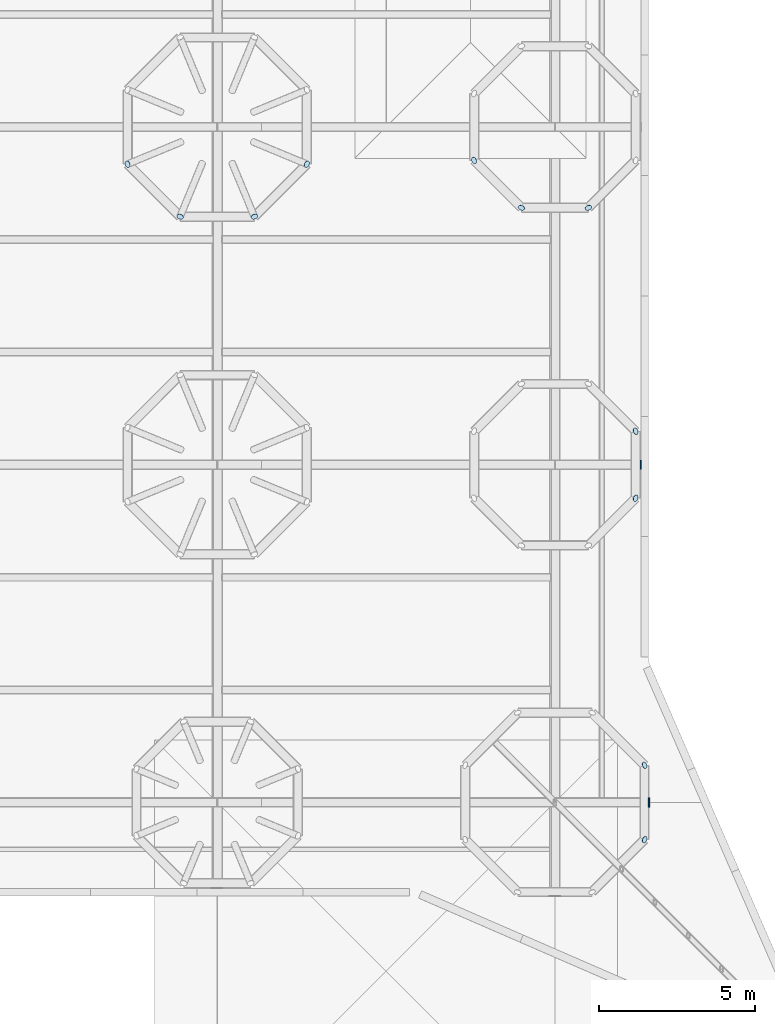
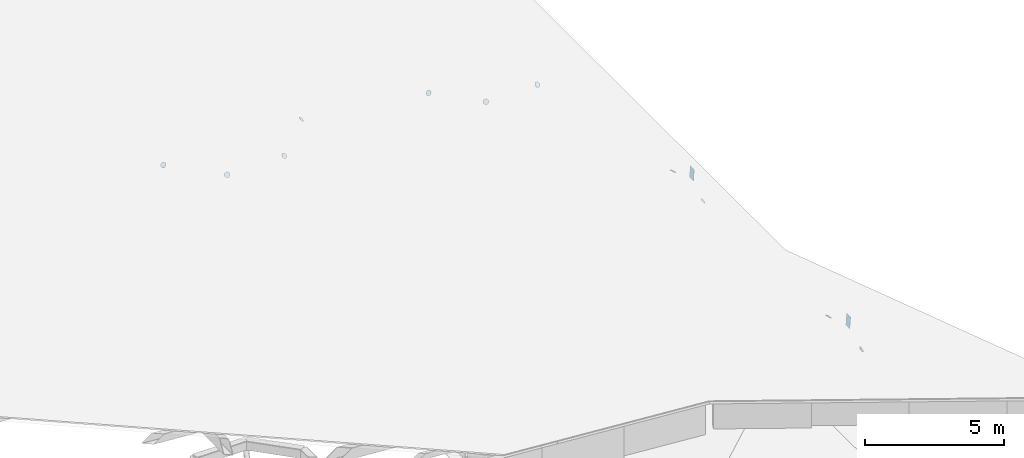
# One storey, part 63 of 95: 13 plates.
"""IFC4 building model written with IfcOpenShell, lengths in metres."""

import ifcopenshell
import ifcopenshell.guid

model = None  # the IFC model being written
_history = None  # IfcOwnerHistory: only IFC2X3 demands one
_inside = {}  # id of a spatial element -> (the spatial element, [elements in it])
_under = {}  # id of a project, library or spatial element -> (it, [spatial elements below it])
_declared = {}  # id of a project -> (the project, [libraries it declares])
_typed = {}  # id of a type object -> (the type object, [elements of that type])
_made_of = {}  # id of a material, layer set ... -> (it, [elements and type objects made of it])


def new_model(schema):
    """Start an empty IFC model of exactly this schema.

    Asked for "IFC4X3", IfcOpenShell would pick the latest addendum, in which some entities
    have other attributes; the version numbers below select the first issue.
    IFC2X3 requires an IfcOwnerHistory on every rooted entity: one is made here for all.
    """
    global model, _history
    if schema == "IFC4X3":
        model = ifcopenshell.file(schema_version=(4, 3, 0, 0))
    else:
        model = ifcopenshell.file(schema=schema)
    _inside.clear()
    _under.clear()
    _declared.clear()
    _typed.clear()
    _made_of.clear()
    _history = None
    if model.schema == "IFC2X3":
        org = make("IfcOrganization", Name="unknown")
        user = make(
            "IfcPersonAndOrganization",
            ThePerson=make("IfcPerson", FamilyName="unknown"),
            TheOrganization=org,
        )
        app = make(
            "IfcApplication",
            ApplicationDeveloper=org,
            Version="unknown",
            ApplicationFullName="unknown",
            ApplicationIdentifier="unknown",
        )
        _history = make(
            "IfcOwnerHistory",
            OwningUser=user,
            OwningApplication=app,
            ChangeAction="ADDED",
            CreationDate=0,
        )
    return model


def make(cls, **values):
    """One entity of the class cls with the attributes given. An attribute that is None is left unset."""
    return model.create_entity(
        cls, **{name: value for name, value in values.items() if value is not None}
    )


def rooted(cls, **values):
    """An entity with a GlobalId (a new one), such as an element, a storey or a relation."""
    return make(cls, GlobalId=ifcopenshell.guid.new(), OwnerHistory=_history, **values)


def si_unit(unit_type, name, prefix=None):
    """IfcSIUnit, for example si_unit("LENGTHUNIT", "METRE", prefix="MILLI")."""
    return make("IfcSIUnit", UnitType=unit_type, Prefix=prefix, Name=name)


def assignment(units):
    """IfcUnitAssignment: the units of a project."""
    return None if units is None else make("IfcUnitAssignment", Units=units)


def point(xyz):
    """IfcCartesianPoint."""
    return None if xyz is None else make("IfcCartesianPoint", Coordinates=xyz)


def direction(xyz):
    """IfcDirection."""
    return None if xyz is None else make("IfcDirection", DirectionRatios=xyz)


def frame(location, z_axis=None, x_axis=None):
    """IfcAxis2Placement3D, a coordinate frame: its origin and axes. An axis left out is left unset."""
    return make(
        "IfcAxis2Placement3D",
        Location=point(location),
        Axis=direction(z_axis),
        RefDirection=direction(x_axis),
    )


def frame_2d(location, x_axis=None):
    """IfcAxis2Placement2D, a coordinate frame in the plane: its origin and x axis."""
    return make(
        "IfcAxis2Placement2D", Location=point(location), RefDirection=direction(x_axis)
    )


def origin():
    """The frame at (0, 0, 0) with its axes left unset."""
    return frame((0.0, 0.0, 0.0))


def origin_2d():
    """The frame at (0, 0) in the plane with its x axis left unset."""
    return frame_2d((0.0, 0.0))


def place(relative_to, where):
    """IfcLocalPlacement: puts the frame where relative to a parent placement (None: the world)."""
    return make(
        "IfcLocalPlacement", PlacementRelTo=relative_to, RelativePlacement=where
    )


def context(
    kind, dimensions, precision=None, world=None, true_north=None, identifier=None
):
    """IfcGeometricRepresentationContext, for example the 3D "Model" context."""
    return make(
        "IfcGeometricRepresentationContext",
        ContextIdentifier=identifier,
        ContextType=kind,
        CoordinateSpaceDimension=dimensions,
        Precision=precision,
        WorldCoordinateSystem=world,
        TrueNorth=true_north,
    )


def subcontext(parent, identifier, kind, view, scale=None):
    """IfcGeometricRepresentationSubContext, for example "Body" below "Model"."""
    return make(
        "IfcGeometricRepresentationSubContext",
        ContextIdentifier=identifier,
        ContextType=kind,
        ParentContext=parent,
        TargetScale=scale,
        TargetView=view,
    )


def project(units=None, contexts=None):
    """IfcProject with its units and contexts."""
    return rooted(
        "IfcProject",
        Name="project",
        RepresentationContexts=contexts,
        UnitsInContext=assignment(units),
    )


def spatial(cls, under=None, at=None, **own):
    """A site, building, storey or space (cls), placed at a placement, below another one or the project."""
    s = rooted(cls, ObjectPlacement=at, **own)
    if under is not None:
        _under.setdefault(under.id(), (under, []))[1].append(s)
    return s


def profile(cls, at=None, kind="AREA", **sizes):
    """A parametric profile (cls). Its sizes go by their IFC names, for example OverallWidth=200.0."""
    return make(cls, ProfileType=kind, Position=at, **sizes)


def rectangle(**sizes):
    """IfcRectangleProfileDef."""
    return profile("IfcRectangleProfileDef", **sizes)


def circle(**sizes):
    """IfcCircleProfileDef."""
    return profile("IfcCircleProfileDef", **sizes)


def extrude(swept, where, along, depth):
    """IfcExtrudedAreaSolid: the profile swept, set in the frame where, extruded along a direction by depth."""
    return make(
        "IfcExtrudedAreaSolid",
        SweptArea=swept,
        Position=where,
        ExtrudedDirection=direction(along),
        Depth=depth,
    )


def shape(context_of_items, identifier, shape_type, items):
    """IfcShapeRepresentation: the items that make up one representation, for example the "Body"."""
    return make(
        "IfcShapeRepresentation",
        ContextOfItems=context_of_items,
        RepresentationIdentifier=identifier,
        RepresentationType=shape_type,
        Items=items,
    )


def material(Name=None, Category=None):
    """IfcMaterial."""
    return make("IfcMaterial", Name=Name, Category=Category)


def material_profile(
    of_material, cross_section, Name=None, Category=None, Priority=None
):
    """IfcMaterialProfile: a cross section and its material."""
    return make(
        "IfcMaterialProfile",
        Name=Name,
        Material=of_material,
        Profile=cross_section,
        Priority=Priority,
        Category=Category,
    )


def profile_set(profiles, Name=None, composite=None):
    """IfcMaterialProfileSet."""
    return make(
        "IfcMaterialProfileSet",
        Name=Name,
        MaterialProfiles=profiles,
        CompositeProfile=composite,
    )


def made_of(thing, what):
    """Note that an element or type object is made of a material, layer set ...; save() writes the relation."""
    if what is not None:
        _made_of.setdefault(what.id(), (what, []))[1].append(thing)
    return thing


def type_object(cls, material=None, **own):
    """A type object (cls), such as IfcWallType, which elements share."""
    return made_of(rooted(cls, **own), material)


def element(
    cls,
    number,
    at=None,
    inside=None,
    cuts=None,
    type_object=None,
    material=None,
    context=None,
    identifier="Body",
    shape_type=None,
    held_by="IfcProductDefinitionShape",
    body=None,
    shapes=None,
    **own,
):
    """One element of the class cls, such as IfcWall. Its Tag is "e" and its number.

    at: its placement. inside: the storey or other place that contains it. cuts: it is an
    opening in that element (IfcRelVoidsElement). A single representation is given by context,
    identifier, shape_type and body (its items); several are given by shapes. held_by: the class
    of the entity that holds the representations. save() writes the other relations.
    """
    e = rooted(cls, Tag="e%d" % number, ObjectPlacement=at, **own)
    if body is not None:
        shapes = [shape(context, identifier, shape_type, body)]
    if shapes is not None:
        e.Representation = make(held_by, Representations=shapes)
    if inside is not None:
        _inside.setdefault(inside.id(), (inside, []))[1].append(e)
    if cuts is not None:
        rooted(
            "IfcRelVoidsElement", RelatingBuildingElement=cuts, RelatedOpeningElement=e
        )
    if type_object is not None:
        _typed.setdefault(type_object.id(), (type_object, []))[1].append(e)
    return made_of(e, material)


def aggregate(whole, parts):
    """IfcRelAggregates: a whole, such as a stair, and the parts it consists of."""
    return rooted("IfcRelAggregates", RelatingObject=whole, RelatedObjects=parts)


def save(model, path):
    """Write the relations noted so far, then the file.

    IfcRelAggregates (storeys below a building ...), IfcRelContainedInSpatialStructure (elements
    in a storey), IfcRelDefinesByType, IfcRelAssociatesMaterial and IfcRelDeclares: one each for
    every whole, place, type object, material and project.
    """
    for whole, parts in _under.values():
        aggregate(whole, parts)
    for where, things in _inside.values():
        rooted(
            "IfcRelContainedInSpatialStructure",
            RelatedElements=things,
            RelatingStructure=where,
        )
    for kind, things in _typed.values():
        rooted("IfcRelDefinesByType", RelatedObjects=things, RelatingType=kind)
    for what, things in _made_of.values():
        rooted("IfcRelAssociatesMaterial", RelatedObjects=things, RelatingMaterial=what)
    for by, libraries in _declared.values():
        rooted("IfcRelDeclares", RelatingContext=by, RelatedDefinitions=libraries)
    model.write(path)


model = new_model("IFC4")

# Units and contexts
model_context = context("Model", 3, precision=1e-05, world=origin(), true_north=direction((0.0, 1.0)))
body_context = subcontext(model_context, "Body", "Model", "MODEL_VIEW")
ifc_project = project(units=[si_unit("LENGTHUNIT", "METRE"), si_unit("AREAUNIT", "SQUARE_METRE"), si_unit("VOLUMEUNIT", "CUBIC_METRE"), si_unit("PLANEANGLEUNIT", "RADIAN"), si_unit("MASSUNIT", "GRAM", prefix="KILO")], contexts=[model_context])

# Site, building, storey
site_placement = place(None, origin())
site = spatial("IfcSite", under=ifc_project, at=site_placement, CompositionType="ELEMENT")
building_placement = place(site_placement, origin())
building = spatial("IfcBuilding", under=site, at=building_placement, Name="Magnolia Steps Interchange", CompositionType="ELEMENT")
storey_placement = place(building_placement, frame((0.0, 0.0, 4.800048828125)))
storey = spatial("IfcBuildingStorey", under=building, at=storey_placement, Name="L01", CompositionType="ELEMENT", Elevation=4.800048828125)

# Plates
ifc_material_1 = material(Name="Steel Q355B", Category="steel")
ifc_material_profile_1 = material_profile(ifc_material_1, circle(Radius=0.109619140625, at=origin_2d()), Name="End plate CHS219x10")
ifc_profile_set_1 = profile_set([ifc_material_profile_1], Name="Steel Q355B")
plate_type_1 = type_object("IfcPlateType", Name="End plate CHS219x10", PredefinedType="SHEET", material=ifc_profile_set_1)
for number, where, z_axis, x_axis, name in (
    (1, (169.135986328125, 62.813720703125, 1.55615234375), (-0.664583318381, -0.275279424158, 0.694658370398), (0.382683432789, -0.923879532336, 0.0), "End plate Tree rib"),
    (2, (170.813720703125, 61.135986328125, 1.55615234375), (-0.275279424158, -0.664583318381, 0.694658370398), (0.923879532336, -0.382683432789, 0.0), "End plate Tree rib"),
    (3, (173.186279296875, 61.135986328125, 1.55615234375), (0.275279424158, -0.664583318381, 0.694658370398), (0.923879532336, 0.382683432789, 0.0), "End plate Tree rib"),
    (4, (174.864013671875, 62.813720703125, 1.55615234375), (0.664583318381, -0.275279424158, 0.694658370398), (0.382683432789, 0.923879532336, 0.0), "End plate Tree rib"),
    (5, (185.6640625, 43.586181640625, 0.7685546875), (0.734831085934, 0.304377001973, 0.606117080946), (-0.3826834325, 0.923879532456, 0.0), "End plate Tree rib"),
    (6, (185.6640625, 41.213623046875, 0.7685546875), (0.734831085934, -0.304377001973, 0.606117080946), (0.3826834325, 0.923879532456, 0.0), "End plate Tree rib"),
    (7, (185.3798828125, 54.268798828125, 0.7685546875), (0.687747805205, 0.284874468085, 0.667719622199), (-0.382683431994, 0.923879532665, 0.0), "End plate Tree rib"),
    (8, (185.3798828125, 52.13134765625, 0.7685546875), (0.687747805205, -0.284874468085, 0.667719622199), (0.382683431994, 0.923879532665, 0.0), "End plate Tree rib"),
    (9, (180.219970703125, 62.931396484375, 0.7685546875), (-0.687747805205, -0.284874468085, 0.667719622199), (0.382683431994, -0.923879532665, 0.0), "End plate Tree rib"),
    (10, (181.731201171875, 61.419921875, 0.7685546875), (-0.284874468085, -0.687747805205, 0.667719622199), (0.923879532665, -0.382683431994, 0.0), "End plate Tree rib"),
    (11, (183.86865234375, 61.419921875, 0.7685546875), (0.284874468085, -0.687747805205, 0.667719622199), (0.923879532665, 0.382683431994, 0.0), "End plate Tree rib"),
):
    element("IfcPlate", number, at=place(storey_placement, frame(where, z_axis=z_axis, x_axis=x_axis)), inside=storey, type_object=plate_type_1, Name=name, PredefinedType="SHEET", context=body_context, shape_type="SweptSolid", body=[
        extrude(circle(Radius=0.109619140625, at=origin_2d()), origin(), (0.0, 0.0, 1.0), 0.008056640625),
    ])
ifc_material_2 = material(Name="Steel Q355B", Category="steel")
ifc_material_profile_2 = material_profile(ifc_material_2, rectangle(XDim=0.300048828125, YDim=0.5, at=origin_2d()), Name="End plate RHS500x300x16")
ifc_profile_set_2 = profile_set([ifc_material_profile_2], Name="Steel Q355B")
plate_type_2 = type_object("IfcPlateType", Name="End plate RHS500x300x16", PredefinedType="SHEET", material=ifc_profile_set_2)
for number, where, z_axis, x_axis, name in (
    (12, (185.800048828125, 42.39990234375, 1.2490234375), (0.997350928098, 0.0, -0.072740128007), (0.0, 1.0, 0.0), "End plate Roof beam"),
    (13, (185.5400390625, 53.199951171875, 1.26806640625), (0.997351913919, 0.0, -0.072726609994), (0.0, 1.0, 0.0), "End plate Roof beam"),
):
    element("IfcPlate", number, at=place(storey_placement, frame(where, z_axis=z_axis, x_axis=x_axis)), inside=storey, type_object=plate_type_2, Name=name, PredefinedType="SHEET", context=body_context, shape_type="SweptSolid", body=[
        extrude(rectangle(XDim=0.300048828125, YDim=0.5, at=origin_2d()), origin(), (0.0, 0.0, 1.0), 0.008056640625),
    ])

save(model, "model.ifc")
